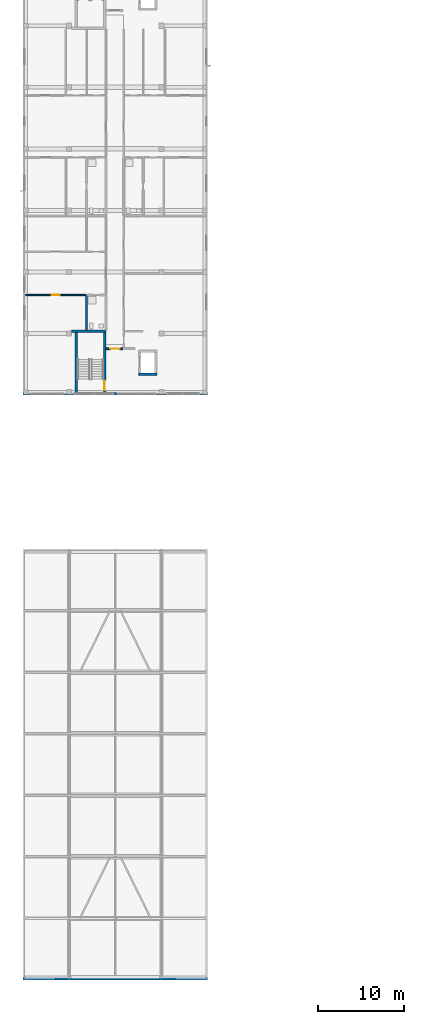
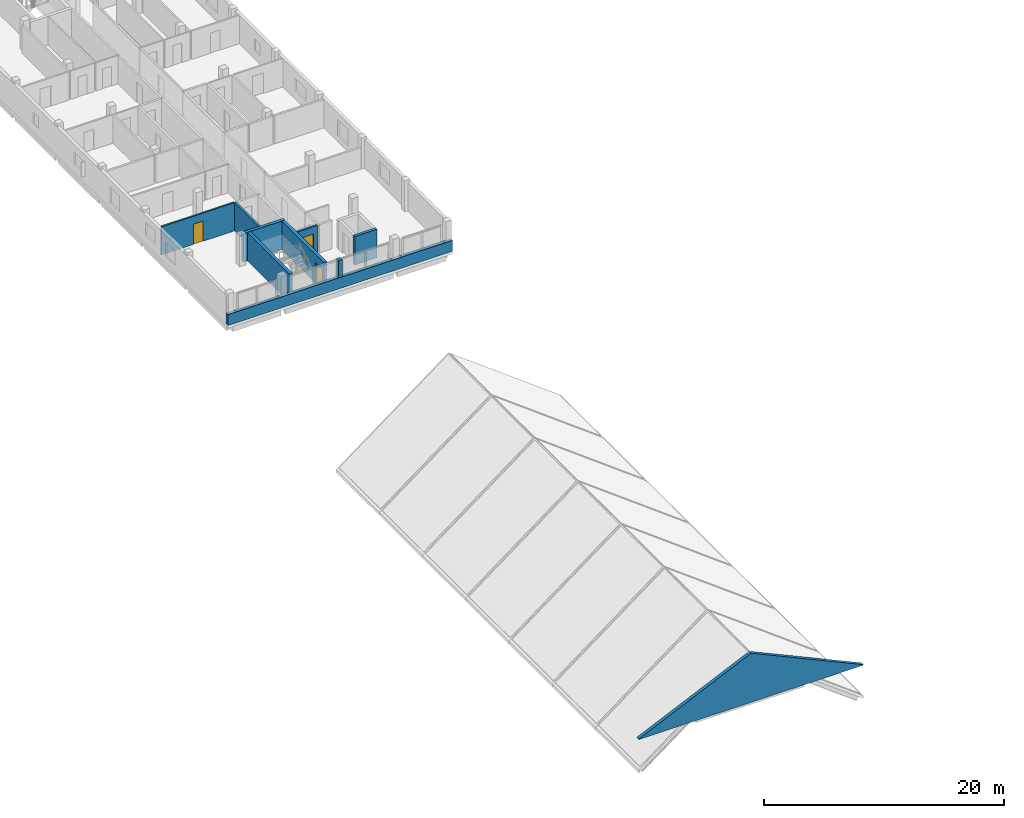
# One storey, part 11 of 35: 10 walls, 3 doors, 3 openings.
"""IFC4 building model written with IfcOpenShell, lengths in metres."""

from ifc_helpers import new_model, si_unit, derived_unit, direction, frame, frame_2d, origin, place, context, subcontext, project, spatial, polyline, rectangle, outline, extrude, material, layer, layer_set, type_object, element, fill, save


model = new_model("IFC4")

# Units and contexts
model_context = context("Model", 3, precision=1e-05, world=origin(), true_north=direction((0.0, 1.0)))
body_context = subcontext(model_context, "Body", "Model", "MODEL_VIEW")
ifc_project = project(units=[si_unit("LENGTHUNIT", "METRE"), si_unit("AREAUNIT", "SQUARE_METRE"), si_unit("VOLUMEUNIT", "CUBIC_METRE"), si_unit("PLANEANGLEUNIT", "RADIAN"), si_unit("MASSUNIT", "GRAM", prefix="KILO"), derived_unit("THERMALTRANSMITTANCEUNIT", [(si_unit("MASSUNIT", "GRAM", prefix="KILO"), 1), (si_unit("TIMEUNIT", "SECOND"), -3), (si_unit("THERMODYNAMICTEMPERATUREUNIT", "KELVIN"), -1)])], contexts=[model_context])

# Site, building, storey
site_placement = place(None, origin())
site = spatial("IfcSite", under=ifc_project, at=site_placement, CompositionType="ELEMENT")
building_placement = place(site_placement, origin())
building = spatial("IfcBuilding", under=site, at=building_placement, Name="Ochrekiln Boulevard Commons", CompositionType="ELEMENT")
storey_placement = place(building_placement, frame((0.0, 0.0, 30.97509765625)))
storey = spatial("IfcBuildingStorey", under=building, at=storey_placement, Name="L09", CompositionType="ELEMENT", Elevation=30.97509765625)

# Walls
ifc_material_1 = material(Name="Iron-spot brown clinker brick masonry ASTM C216 Grade SW", Category="masonry")
ifc_layer_1 = layer(ifc_material_1, 0.364990234375)
ifc_layer_set_1 = layer_set([ifc_layer_1], Name="Iron-spot brown clinker brick masonry ASTM C216 Grade SW")
wall_type_1 = type_object("IfcWallType", Name="WL-EXT-IRON-365", PredefinedType="SOLIDWALL", material=ifc_layer_set_1)
wall_1_placement = place(storey_placement, frame((0.0, 0.159912109375, -0.60009765625), z_axis=(0.0, 0.0, 1.0), x_axis=(1.0, 0.0, 0.0)))
element("IfcWall", 1, at=wall_1_placement, inside=storey, type_object=wall_type_1, Name="Block D Street Gable Peak Masonry Wall", PredefinedType="SOLIDWALL", context=body_context, shape_type="SweptSolid", body=[
    extrude(outline(polyline([(0.0, 0.0), (21.60009765625, 0.0), (21.60009765625, 0.050048828125), (10.800048828125, 5.0), (0.0, 0.050048828125), (0.0, 0.0)])), frame((0.0, 0.16015625, 0.0), z_axis=(0.0, -1.0, 0.0), x_axis=(1.0, 0.0, 0.0)), (0.0, 0.0, 1.0), 0.320068359375),
])
ifc_material_2 = material(Name="Desert ochre clinker brick masonry ASTM C216 Grade SW", Category="masonry")
ifc_layer_2 = layer(ifc_material_2, 0.320068359375)
ifc_layer_set_2 = layer_set([ifc_layer_2], Name="Desert ochre clinker brick masonry ASTM C216 Grade SW")
wall_type_2 = type_object("IfcWallType", Name="WL-EXT-OCHRE-320", PredefinedType="SOLIDWALL", material=ifc_layer_set_2)
wall_2_placement = place(storey_placement, frame((0.0, 68.56005859375, 0.0), z_axis=(0.0, 0.0, 1.0), x_axis=(1.0, 0.0, 0.0)))
element("IfcWall", 2, at=wall_2_placement, inside=storey, type_object=wall_type_2, Name="Block A L09 Courtyard Gable Sill Wall", PredefinedType="SOLIDWALL", context=body_context, shape_type="SweptSolid", body=[
    extrude(rectangle(XDim=21.60009765625, YDim=0.320068359375, at=frame_2d((10.800048828125, 0.0))), origin(), (0.0, 0.0, 1.0), 1.10986328125),
])
wall_3_placement = place(storey_placement, frame((10.6201171875, 68.56005859375, 1.10986328125), z_axis=(0.0, 0.0, 1.0), x_axis=(1.0, 0.0, 0.0)))
element("IfcWall", 3, at=wall_3_placement, inside=storey, type_object=wall_type_2, Name="Block A L09 Courtyard Gable Mullion Pier", PredefinedType="SOLIDWALL", context=body_context, shape_type="SweptSolid", body=[
    extrude(rectangle(XDim=0.35986328125, YDim=0.320068359375, at=frame_2d((0.179931640625, 0.0))), origin(), (0.0, 0.0, 1.0), 1.7900390625),
])
ifc_material_3 = material(Name="Moisture-resistant cementitious tile backer wall")
ifc_layer_3 = layer(ifc_material_3, 0.199951171875)
ifc_layer_set_3 = layer_set([ifc_layer_3], Name="Moisture-resistant cementitious tile backer wall")
wall_type_3 = type_object("IfcWallType", Name="WL-PLM-200", PredefinedType="PLUMBINGWALL", material=ifc_layer_set_3)
wall_4_placement = place(storey_placement, frame((7.43994140625, 76.0, 0.0), z_axis=(0.0, 0.0, 1.0), x_axis=(0.0, 1.0, 0.0)))
element("IfcWall", 4, at=wall_4_placement, inside=storey, type_object=wall_type_3, Name="L09 Interior Wall W-PW200", PredefinedType="PLUMBINGWALL", context=body_context, shape_type="SweptSolid", body=[
    extrude(rectangle(XDim=4.0390625, YDim=0.199951171875, at=frame_2d((2.01953125, 0.0))), origin(), (0.0, 0.0, 1.0), 2.869873046875),
])

# Wall, opening, door
ifc_material_4 = material(Name="Fire-rated Type X gypsum board on steel studs", Category="steel")
ifc_layer_4 = layer(ifc_material_4, 0.18994140625)
ifc_layer_set_4 = layer_set([ifc_layer_4], Name="Fire-rated Type X gypsum board on steel studs")
wall_type_4 = type_object("IfcWallType", Name="WL-PT-LBY-190", PredefinedType="PARTITIONING", material=ifc_layer_set_4)
wall_5_placement = place(storey_placement, frame((9.699951171875, 73.820068359375, 0.0), z_axis=(0.0, 0.0, 1.0), x_axis=(1.0, 0.0, 0.0)))
wall_5 = element("IfcWall", 5, at=wall_5_placement, inside=storey, type_object=wall_type_4, Name="L09 Interior Wall W-PL190", PredefinedType="PARTITIONING", context=body_context, shape_type="SweptSolid", body=[
    extrude(rectangle(XDim=2.0, YDim=0.18994140625, at=frame_2d((1.0, 0.0))), origin(), (0.0, 0.0, 1.0), 2.869873046875),
])
opening_1_placement = place(wall_5_placement, frame((0.5, 0.0, 0.0)))
opening_1 = element("IfcOpeningElement", 6, at=opening_1_placement, cuts=wall_5, Name="Opening D-L09-1096", PredefinedType="OPENING", context=body_context, shape_type="SweptSolid", body=[
    extrude(rectangle(XDim=1.10009765625, YDim=2.1201171875, at=frame_2d((0.550048828125, 1.06005859375))), frame((0.0, 0.10498046875, 0.0), z_axis=(0.0, -1.0, 0.0), x_axis=(1.0, 0.0, 0.0)), (0.0, 0.0, 1.0), 0.2099609375),
])
ifc_material_5 = material(Name="Hollow metal fire-rated steel door assembly", Category="steel")
door_type_1 = type_object("IfcDoorType", Name="DR-LOBBY-60", OperationType="NOTDEFINED", PredefinedType="DOOR", material=ifc_material_5)
door_1_placement = place(opening_1_placement, frame((1.10009765625, 0.0, 0.0), z_axis=(0.0, 0.0, 1.0), x_axis=(-1.0, 0.0, 0.0)))
door_1 = element("IfcDoor", 7, at=door_1_placement, inside=storey, type_object=door_type_1, Name="L09 Interior Door to Fire Service Access Elevator Lobby", OperationType="SINGLE_SWING_RIGHT", OverallHeight=2.1201171875, OverallWidth=1.10009765625, PredefinedType="DOOR", context=body_context, shape_type="SweptSolid", body=[
    extrude(rectangle(XDim=1.10009765625, YDim=2.1201171875, at=frame_2d((0.550048828125, 1.06005859375))), frame((0.0, 0.02490234375, 0.0), z_axis=(0.0, -1.0, 0.0), x_axis=(1.0, 0.0, 0.0)), (0.0, 0.0, 1.0), 0.050048828125),
])
fill(opening_1, door_1)

ifc_layer_5 = layer(ifc_material_4, 0.14990234375)
ifc_layer_set_5 = layer_set([ifc_layer_5], Name="Fire-rated Type X gypsum board on steel studs")
wall_type_5 = type_object("IfcWallType", Name="WL-PT-STD-150", PredefinedType="PARTITIONING", material=ifc_layer_set_5)
wall_6_placement = place(storey_placement, frame((0.320068359375, 80.118896484375, 0.0), z_axis=(0.0, 0.0, 1.0), x_axis=(1.0, 0.0, 0.0)))
wall_6 = element("IfcWall", 8, at=wall_6_placement, inside=storey, type_object=wall_type_5, Name="L09 Interior Wall W-PS150", PredefinedType="PARTITIONING", context=body_context, shape_type="SweptSolid", body=[
    extrude(rectangle(XDim=7.0400390625, YDim=0.14990234375, at=frame_2d((3.52001953125, 0.0))), origin(), (0.0, 0.0, 1.0), 2.869873046875),
])
opening_2_placement = place(wall_6_placement, frame((3.06494140625, 0.0, 0.0)))
opening_2 = element("IfcOpeningElement", 9, at=opening_2_placement, cuts=wall_6, Name="Opening D-L09-1106", PredefinedType="OPENING", context=body_context, shape_type="SweptSolid", body=[
    extrude(rectangle(XDim=0.93994140625, YDim=2.06005859375, at=frame_2d((0.469970703125, 1.030029296875))), frame((0.0, 0.0849609375, 0.0), z_axis=(0.0, -1.0, 0.0), x_axis=(1.0, 0.0, 0.0)), (0.0, 0.0, 1.0), 0.169921875),
])
ifc_material_6 = material(Name="Solid core architectural oak door leaf")
door_type_2 = type_object("IfcDoorType", Name="DR-INT-BED-094", OperationType="NOTDEFINED", PredefinedType="DOOR", material=ifc_material_6)
door_2_placement = place(opening_2_placement, frame((0.93994140625, 0.0, 0.0), z_axis=(0.0, 0.0, 1.0), x_axis=(-1.0, 0.0, 0.0)))
door_2 = element("IfcDoor", 10, at=door_2_placement, inside=storey, type_object=door_type_2, Name="L09 Interior Door to Primary Apartment Bedroom", OperationType="SINGLE_SWING_RIGHT", OverallHeight=2.06005859375, OverallWidth=0.93994140625, PredefinedType="DOOR", context=body_context, shape_type="SweptSolid", body=[
    extrude(rectangle(XDim=0.93994140625, YDim=2.06005859375, at=frame_2d((0.469970703125, 1.030029296875))), frame((0.0, 0.02490234375, 0.0), z_axis=(0.0, -1.0, 0.0), x_axis=(1.0, 0.0, 0.0)), (0.0, 0.0, 1.0), 0.050048828125),
])
fill(opening_2, door_2)

# Walls
ifc_material_7 = material(Name="Concrete C40/50", Category="concrete")
ifc_layer_6 = layer(ifc_material_7, 0.27490234375)
ifc_layer_set_6 = layer_set([ifc_layer_6], Name="Concrete C40/50")
wall_type_6 = type_object("IfcWallType", Name="WL-SH-275", PredefinedType="SHEAR", material=ifc_layer_set_6)
wall_7_placement = place(storey_placement, frame((13.52490234375, 70.862548828125, 0.0), z_axis=(0.0, 0.0, 1.0), x_axis=(1.0, 0.0, 0.0)))
element("IfcWall", 11, at=wall_7_placement, inside=storey, type_object=wall_type_6, Name="Elevator FF-A1 L09 Hoistway Shear Wall", PredefinedType="SHEAR", context=body_context, shape_type="SweptSolid", body=[
    extrude(rectangle(XDim=2.150146484375, YDim=0.27490234375, at=frame_2d((1.0751953125, 0.0))), origin(), (0.0, 0.0, 1.0), 2.89990234375),
])
ifc_layer_7 = layer(ifc_material_7, 0.300048828125)
ifc_layer_set_7 = layer_set([ifc_layer_7], Name="Concrete C40/50")
wall_type_7 = type_object("IfcWallType", Name="WL-SH-300", PredefinedType="SHEAR", material=ifc_layer_set_7)
wall_8_placement = place(storey_placement, frame((5.699951171875, 75.8701171875, 0.0), z_axis=(0.0, 0.0, 1.0), x_axis=(1.0, 0.0, 0.0)))
element("IfcWall", 12, at=wall_8_placement, inside=storey, type_object=wall_type_7, Name="Stair ST-A1 L09 Core Shear Wall N", PredefinedType="SHEAR", context=body_context, shape_type="SweptSolid", body=[
    extrude(rectangle(XDim=4.0, YDim=0.300048828125, at=frame_2d((2.0, 0.0))), origin(), (0.0, 0.0, 1.0), 2.89990234375),
])
wall_9_placement = place(storey_placement, frame((6.25, 68.719970703125, 0.0), z_axis=(0.0, 0.0, 1.0), x_axis=(0.0, 1.0, 0.0)))
element("IfcWall", 13, at=wall_9_placement, inside=storey, type_object=wall_type_7, Name="Stair ST-A1 L09 Core Shear Wall W", PredefinedType="SHEAR", context=body_context, shape_type="SweptSolid", body=[
    extrude(rectangle(XDim=7.0, YDim=0.300048828125, at=frame_2d((3.5, 0.0))), origin(), (0.0, 0.0, 1.0), 2.89990234375),
])

# Wall, opening, door
wall_10_placement = place(storey_placement, frame((9.550048828125, 68.719970703125, 0.0), z_axis=(0.0, 0.0, 1.0), x_axis=(0.0, 1.0, 0.0)))
wall_10 = element("IfcWall", 14, at=wall_10_placement, inside=storey, type_object=wall_type_7, Name="Stair ST-A1 L09 Core Shear Wall E", PredefinedType="SHEAR", context=body_context, shape_type="SweptSolid", body=[
    extrude(rectangle(XDim=7.0, YDim=0.300048828125, at=frame_2d((3.5, 0.0))), origin(), (0.0, 0.0, 1.0), 2.89990234375),
])
opening_3_placement = place(wall_10_placement, frame((0.22509765625, 0.0, 0.0)))
opening_3 = element("IfcOpeningElement", 15, at=opening_3_placement, cuts=wall_10, Name="Opening D-L09-ST-A1", PredefinedType="OPENING", context=body_context, shape_type="SweptSolid", body=[
    extrude(rectangle(XDim=1.14990234375, YDim=2.1201171875, at=frame_2d((0.574951171875, 1.06005859375))), frame((0.0, 0.159912109375, 0.0), z_axis=(0.0, -1.0, 0.0), x_axis=(1.0, 0.0, 0.0)), (0.0, 0.0, 1.0), 0.320068359375),
])
door_type_3 = type_object("IfcDoorType", Name="DR-STAIR-90", OperationType="NOTDEFINED", PredefinedType="DOOR", material=ifc_material_5)
door_3_placement = place(opening_3_placement, origin())
door_3 = element("IfcDoor", 16, at=door_3_placement, inside=storey, type_object=door_type_3, Name="Enclosed Exit Stair ST-A1 L09 Rated Door", OperationType="SINGLE_SWING_LEFT", OverallHeight=2.1201171875, OverallWidth=1.14990234375, PredefinedType="DOOR", context=body_context, shape_type="SweptSolid", body=[
    extrude(rectangle(XDim=1.14990234375, YDim=2.1201171875, at=frame_2d((0.574951171875, 1.06005859375))), frame((0.0, 0.02490234375, 0.0), z_axis=(0.0, -1.0, 0.0), x_axis=(1.0, 0.0, 0.0)), (0.0, 0.0, 1.0), 0.050048828125),
])
fill(opening_3, door_3)

save(model, "model.ifc")
